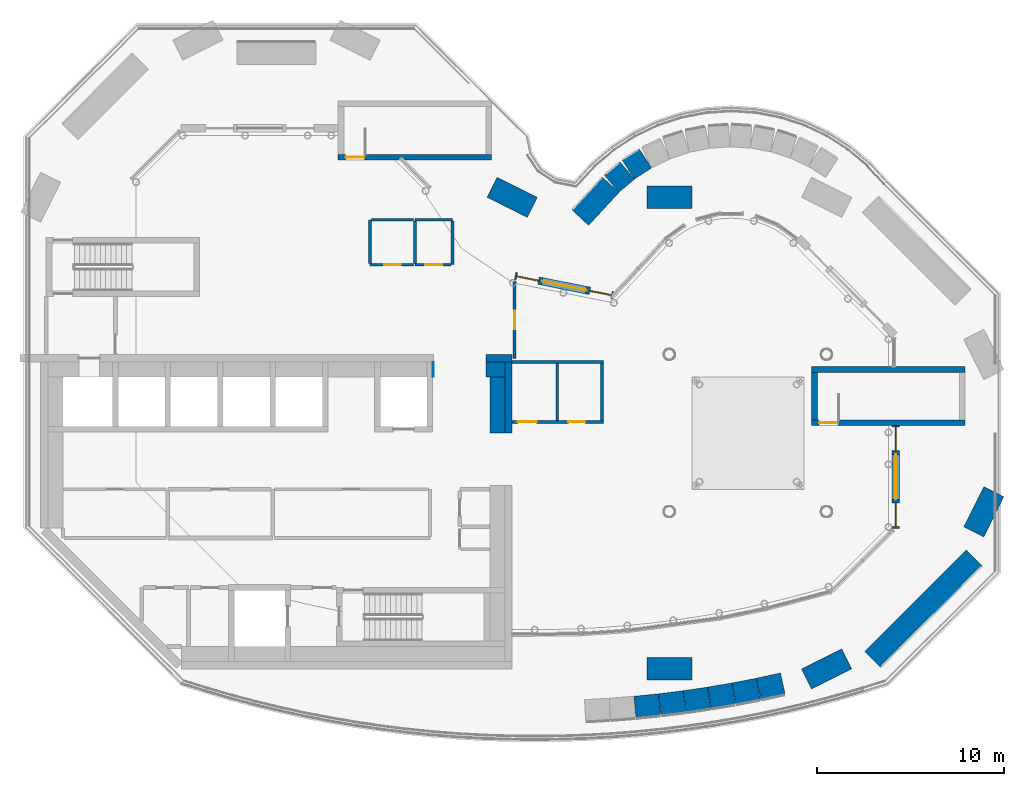
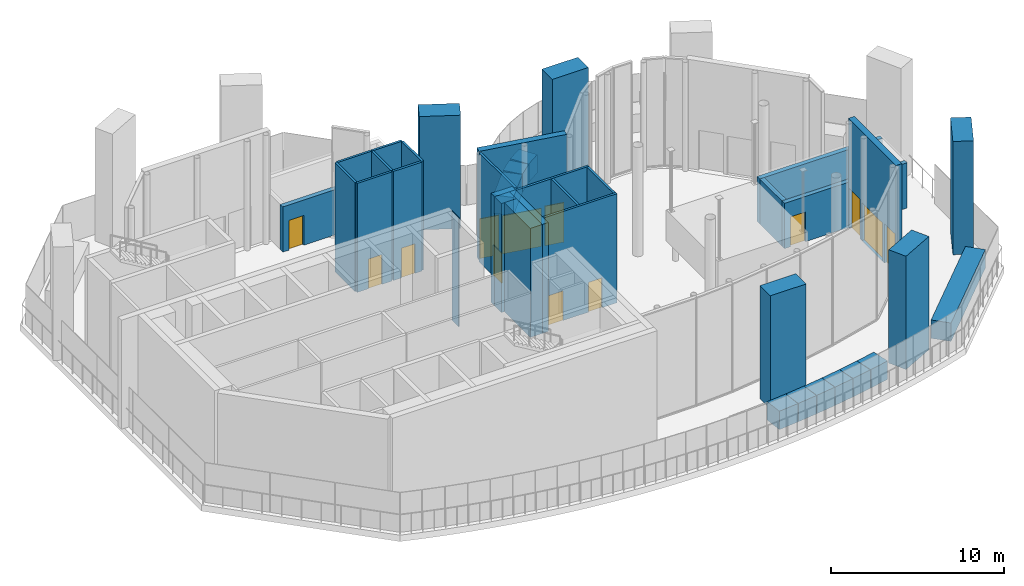
# One storey, part 9 of 14: 38 walls, 9 doors, 4 windows, 13 openings.
"""IFC4 building model written with IfcOpenShell, lengths in metres."""

from ifc_helpers import new_model, si_unit, direction, frame, frame_2d, origin, place, context, subcontext, project, spatial, rectangle, extrude, material, layer, layer_set, type_object, element, fill, save


model = new_model("IFC4")

# Units and contexts
model_context = context("Model", 3, precision=1e-05, world=origin(), true_north=direction((0.0, 1.0)))
body_context = subcontext(model_context, "Body", "Model", "MODEL_VIEW")
ifc_project = project(units=[si_unit("LENGTHUNIT", "METRE"), si_unit("AREAUNIT", "SQUARE_METRE"), si_unit("VOLUMEUNIT", "CUBIC_METRE"), si_unit("PLANEANGLEUNIT", "RADIAN"), si_unit("MASSUNIT", "GRAM", prefix="KILO")], contexts=[model_context])

# Site, building, storey
site_placement = place(None, origin())
site = spatial("IfcSite", under=ifc_project, at=site_placement, CompositionType="ELEMENT")
building_placement = place(site_placement, origin())
building = spatial("IfcBuilding", under=site, at=building_placement, Name="Brevane Broadcast Tower", CompositionType="ELEMENT")
storey_placement = place(building_placement, frame((0.0, 0.0, 256.199951171875)))
storey = spatial("IfcBuildingStorey", under=building, at=storey_placement, Name="L65", CompositionType="ELEMENT", Elevation=256.199951171875)

# Walls
ifc_material_1 = material(Name="Concrete C60/75", Category="concrete")
ifc_layer_1 = layer(ifc_material_1, 1.199951171875)
ifc_layer_set_1 = layer_set([ifc_layer_1], Name="CONCRETE CANOPY PIER WALL 1200 C60/75")
wall_type_1 = type_object("IfcWallType", Name="CONCRETE CANOPY PIER WALL 1200 C60/75", PredefinedType="SOLIDWALL", material=ifc_layer_set_1)
wall_1_placement = place(storey_placement, frame((26.273193359375, 24.663330078125, 0.0), z_axis=(0.0, 0.0, 1.0), x_axis=(-0.894427191, 0.4472135955, 0.0)))
element("IfcWall", 1, at=wall_1_placement, inside=storey, type_object=wall_type_1, Name="CP1 4", PredefinedType="SOLIDWALL", context=body_context, shape_type="SweptSolid", body=[
    extrude(rectangle(XDim=2.39990234375, YDim=1.199951171875, at=frame_2d((1.199951171875, 0.0))), origin(), (0.0, 0.0, 1.0), 8.0),
])
for number, where, z_axis, x_axis, name in (
    (2, (32.39990234375, 0.0, 0.0), (0.0, 0.0, 1.0), (1.0, 0.0, 0.0), "CP1 5"),
    (3, (34.800048828125, 25.199951171875, 0.0), (0.0, 0.0, 1.0), (-1.0, 0.0, 0.0), "CP1 6"),
):
    element("IfcWall", number, at=place(storey_placement, frame(where, z_axis=z_axis, x_axis=x_axis)), inside=storey, type_object=wall_type_1, Name=name, PredefinedType="SOLIDWALL", context=body_context, shape_type="SweptSolid", body=[
        extrude(rectangle(XDim=2.400146484375, YDim=1.199951171875, at=frame_2d((1.2001953125, 0.0))), origin(), (0.0, 0.0, 1.0), 8.0),
    ])
wall_2_placement = place(storey_placement, frame((40.9267578125, -0.53662109375, 0.0), z_axis=(0.0, 0.0, 1.0), x_axis=(0.894427191, 0.4472135955, 0.0)))
element("IfcWall", 4, at=wall_2_placement, inside=storey, type_object=wall_type_1, Name="CP1 7", PredefinedType="SOLIDWALL", context=body_context, shape_type="SweptSolid", body=[
    extrude(rectangle(XDim=2.39990234375, YDim=1.199951171875, at=frame_2d((1.199951171875, 0.0))), origin(), (0.0, 0.0, 1.0), 8.0),
])
wall_3_placement = place(storey_placement, frame((49.86328125, 7.32666015625, 0.0), z_axis=(0.0, 0.0, 1.0), x_axis=(0.447254282259, 0.894406846464, 0.0)))
element("IfcWall", 5, at=wall_3_placement, inside=storey, type_object=wall_type_1, Name="CP1 9", PredefinedType="SOLIDWALL", context=body_context, shape_type="SweptSolid", body=[
    extrude(rectangle(XDim=2.400146484375, YDim=1.199951171875, at=frame_2d((1.2001953125, 0.0))), origin(), (0.0, 0.0, 1.0), 8.0),
])
ifc_material_2 = material(Name="Concrete C32/40", Category="concrete")
ifc_layer_2 = layer(ifc_material_2, 0.800048828125)
ifc_layer_set_2 = layer_set([ifc_layer_2], Name="Core chase wall 800 mm")
wall_type_2 = type_object("IfcWallType", Name="Core chase wall 800 mm", PredefinedType="PARTITIONING", material=ifc_layer_set_2)
wall_4_placement = place(storey_placement, frame((24.39990234375, 12.60009765625, 0.0), z_axis=(0.0, 0.0, 1.0), x_axis=(0.0, 1.0, 0.0)))
element("IfcWall", 6, at=wall_4_placement, inside=storey, type_object=wall_type_2, Name="L65 chase wall LE2", PredefinedType="PARTITIONING", context=body_context, shape_type="SweptSolid", body=[
    extrude(rectangle(XDim=3.0, YDim=0.800048828125, at=frame_2d((1.5, 0.0))), origin(), (0.0, 0.0, 1.0), 7.699951171875),
])
wall_5_placement = place(storey_placement, frame((23.800048828125, 16.0, 0.0), z_axis=(0.0, 0.0, 1.0), x_axis=(1.0, 0.0, 0.0)))
element("IfcWall", 7, at=wall_5_placement, inside=storey, type_object=wall_type_2, Name="L65 chase wall LN2", PredefinedType="PARTITIONING", context=body_context, shape_type="SweptSolid", body=[
    extrude(rectangle(XDim=1.0, YDim=0.800048828125, at=frame_2d((0.5, 0.0))), origin(), (0.0, 0.0, 1.0), 7.699951171875),
])
wall_6_placement = place(storey_placement, frame((20.949951171875, 16.0, 0.0), z_axis=(0.0, 0.0, 1.0), x_axis=(1.0, 0.0, 0.0)))
element("IfcWall", 8, at=wall_6_placement, inside=storey, type_object=wall_type_2, Name="L65 chase wall LN1-2-2-2-2-2-2-2", PredefinedType="PARTITIONING", context=body_context, shape_type="SweptSolid", body=[
    extrude(rectangle(XDim=0.050048828125, YDim=0.800048828125, at=frame_2d((0.02490234375, 0.0))), origin(), (0.0, 0.0, 1.0), 7.699951171875),
])
ifc_material_3 = material(Name="Gypsum board on steel studs", Category="steel")
ifc_layer_3 = layer(ifc_material_3, 0.14990234375)
ifc_layer_set_3 = layer_set([ifc_layer_3], Name="Core fire partition 150 mm")
wall_type_3 = type_object("IfcWallType", Name="Core fire partition 150 mm", PredefinedType="PARTITIONING", material=ifc_layer_set_3)
wall_7_placement = place(storey_placement, frame((20.0, 24.0, 0.0), z_axis=(0.0, 0.0, 1.0), x_axis=(1.0, 0.0, 0.0)))
element("IfcWall", 9, at=wall_7_placement, inside=storey, type_object=wall_type_3, Name="L65 partition wall P22", PredefinedType="PARTITIONING", context=body_context, shape_type="SweptSolid", body=[
    extrude(rectangle(XDim=2.0, YDim=0.14990234375, at=frame_2d((1.0, 0.0))), origin(), (0.0, 0.0, 1.0), 7.699951171875),
])
wall_8_placement = place(storey_placement, frame((22.0, 23.925048828125, 0.0), z_axis=(0.0, 0.0, 1.0), x_axis=(0.0, -1.0, 0.0)))
element("IfcWall", 10, at=wall_8_placement, inside=storey, type_object=wall_type_3, Name="L65 partition wall P23", PredefinedType="PARTITIONING", context=body_context, shape_type="SweptSolid", body=[
    extrude(rectangle(XDim=2.324951171875, YDim=0.14990234375, at=frame_2d((1.16259765625, 0.0))), origin(), (0.0, 0.0, 1.0), 7.699951171875),
])

# Wall, opening, door
wall_9_placement = place(storey_placement, frame((21.925048828125, 21.60009765625, 0.0), z_axis=(0.0, 0.0, 1.0), x_axis=(-1.0, 0.0, 0.0)))
wall_9 = element("IfcWall", 11, at=wall_9_placement, inside=storey, type_object=wall_type_3, Name="L65 partition wall P24", PredefinedType="PARTITIONING", context=body_context, shape_type="SweptSolid", body=[
    extrude(rectangle(XDim=1.925048828125, YDim=0.14990234375, at=frame_2d((0.96240234375, 0.0))), origin(), (0.0, 0.0, 1.0), 7.699951171875),
])
opening_1_placement = place(wall_9_placement, frame((0.47509765625, 0.0, 0.0)))
opening_1 = element("IfcOpeningElement", 12, at=opening_1_placement, cuts=wall_9, Name="Opening L65-K19", PredefinedType="OPENING", context=body_context, shape_type="SweptSolid", body=[
    extrude(rectangle(XDim=0.89990234375, YDim=2.10009765625, at=frame_2d((0.449951171875, 1.050048828125))), frame((0.0, 0.0849609375, 0.0), z_axis=(0.0, -1.0, 0.0), x_axis=(1.0, 0.0, 0.0)), (0.0, 0.0, 1.0), 0.169921875),
])
ifc_material_4 = material(Name="Timber", Category="wood")
door_type_1 = type_object("IfcDoorType", Name="Toilet door 900 x 2100", OperationType="SINGLE_SWING_LEFT", PredefinedType="DOOR", material=ifc_material_4)
door_1_placement = place(opening_1_placement, origin())
door_1 = element("IfcDoor", 13, at=door_1_placement, inside=storey, type_object=door_type_1, Name="Door L65-K19", OperationType="SINGLE_SWING_RIGHT", OverallHeight=2.10009765625, OverallWidth=0.89990234375, PredefinedType="DOOR", context=body_context, shape_type="SweptSolid", body=[
    extrude(rectangle(XDim=0.89990234375, YDim=2.10009765625, at=frame_2d((0.449951171875, 1.050048828125))), frame((0.0, 0.02490234375, 0.0), z_axis=(0.0, -1.0, 0.0), x_axis=(1.0, 0.0, 0.0)), (0.0, 0.0, 1.0), 0.050048828125),
])
fill(opening_1, door_1)

# Wall
wall_10_placement = place(storey_placement, frame((20.0, 21.675048828125, 0.0), z_axis=(0.0, 0.0, 1.0), x_axis=(0.0, 1.0, 0.0)))
element("IfcWall", 14, at=wall_10_placement, inside=storey, type_object=wall_type_3, Name="L65 partition wall P25", PredefinedType="PARTITIONING", context=body_context, shape_type="SweptSolid", body=[
    extrude(rectangle(XDim=2.25, YDim=0.14990234375, at=frame_2d((1.125, 0.0))), origin(), (0.0, 0.0, 1.0), 7.699951171875),
])

# Wall, opening, door
wall_11_placement = place(storey_placement, frame((19.925048828125, 21.60009765625, 0.0), z_axis=(0.0, 0.0, 1.0), x_axis=(-1.0, 0.0, 0.0)))
wall_11 = element("IfcWall", 15, at=wall_11_placement, inside=storey, type_object=wall_type_3, Name="L65 partition wall P26", PredefinedType="PARTITIONING", context=body_context, shape_type="SweptSolid", body=[
    extrude(rectangle(XDim=2.324951171875, YDim=0.14990234375, at=frame_2d((1.16259765625, 0.0))), origin(), (0.0, 0.0, 1.0), 7.699951171875),
])
opening_2_placement = place(wall_11_placement, frame((0.675048828125, 0.0, 0.0)))
opening_2 = element("IfcOpeningElement", 16, at=opening_2_placement, cuts=wall_11, Name="Opening L65-K20", PredefinedType="OPENING", context=body_context, shape_type="SweptSolid", body=[
    extrude(rectangle(XDim=0.89990234375, YDim=2.10009765625, at=frame_2d((0.449951171875, 1.050048828125))), frame((0.0, 0.0849609375, 0.0), z_axis=(0.0, -1.0, 0.0), x_axis=(1.0, 0.0, 0.0)), (0.0, 0.0, 1.0), 0.169921875),
])
ifc_material_5 = material(Name="Steel", Category="steel")
door_type_2 = type_object("IfcDoorType", Name="Service room door 900 x 2100", OperationType="SINGLE_SWING_LEFT", PredefinedType="DOOR", material=ifc_material_5)
door_2_placement = place(opening_2_placement, origin())
door_2 = element("IfcDoor", 17, at=door_2_placement, inside=storey, type_object=door_type_2, Name="Door L65-K20", OperationType="SINGLE_SWING_LEFT", OverallHeight=2.10009765625, OverallWidth=0.89990234375, PredefinedType="DOOR", context=body_context, shape_type="SweptSolid", body=[
    extrude(rectangle(XDim=0.89990234375, YDim=2.10009765625, at=frame_2d((0.449951171875, 1.050048828125))), frame((0.0, 0.02490234375, 0.0), z_axis=(0.0, -1.0, 0.0), x_axis=(1.0, 0.0, 0.0)), (0.0, 0.0, 1.0), 0.050048828125),
])
fill(opening_2, door_2)

# Walls
wall_12_placement = place(storey_placement, frame((17.60009765625, 21.675048828125, 0.0), z_axis=(0.0, 0.0, 1.0), x_axis=(0.0, 1.0, 0.0)))
element("IfcWall", 18, at=wall_12_placement, inside=storey, type_object=wall_type_3, Name="L65 partition wall P27", PredefinedType="PARTITIONING", context=body_context, shape_type="SweptSolid", body=[
    extrude(rectangle(XDim=2.324951171875, YDim=0.14990234375, at=frame_2d((1.16259765625, 0.0))), origin(), (0.0, 0.0, 1.0), 7.699951171875),
])
wall_13_placement = place(storey_placement, frame((17.675048828125, 24.0, 0.0), z_axis=(0.0, 0.0, 1.0), x_axis=(1.0, 0.0, 0.0)))
element("IfcWall", 19, at=wall_13_placement, inside=storey, type_object=wall_type_3, Name="L65 partition wall P28", PredefinedType="PARTITIONING", context=body_context, shape_type="SweptSolid", body=[
    extrude(rectangle(XDim=2.25, YDim=0.14990234375, at=frame_2d((1.125, 0.0))), origin(), (0.0, 0.0, 1.0), 7.699951171875),
])

# Wall, opening, door
ifc_material_6 = material(Name="Concrete C50/60", Category="concrete")
ifc_layer_4 = layer(ifc_material_6, 0.300048828125)
ifc_layer_set_4 = layer_set([ifc_layer_4], Name="Core wall 300 mm C50/60")
wall_type_4 = type_object("IfcWallType", Name="Core wall 300 mm C50/60", PredefinedType="SHEAR", material=ifc_layer_set_4)
wall_14_placement = place(storey_placement, frame((24.10009765625, 27.35009765625, 0.0), z_axis=(0.0, 0.0, 1.0), x_axis=(-1.0, 0.0, 0.0)))
wall_14 = element("IfcWall", 20, at=wall_14_placement, inside=storey, type_object=wall_type_4, Name="L65 stair wall ST-3-S", PredefinedType="SHEAR", context=body_context, shape_type="SweptSolid", body=[
    extrude(rectangle(XDim=8.2001953125, YDim=0.300048828125, at=frame_2d((4.10009765625, 0.0))), origin(), (0.0, 0.0, 1.0), 3.199951171875),
])
opening_3_placement = place(wall_14_placement, frame((6.800048828125, 0.0, 0.0)))
opening_3 = element("IfcOpeningElement", 21, at=opening_3_placement, cuts=wall_14, Name="Opening L65-K08", PredefinedType="OPENING", context=body_context, shape_type="SweptSolid", body=[
    extrude(rectangle(XDim=1.0, YDim=2.10009765625, at=frame_2d((0.5, 1.050048828125))), frame((0.0, 0.159912109375, 0.0), z_axis=(0.0, -1.0, 0.0), x_axis=(1.0, 0.0, 0.0)), (0.0, 0.0, 1.0), 0.320068359375),
])
door_type_3 = type_object("IfcDoorType", Name="Stair door 1000 x 2100", OperationType="SINGLE_SWING_LEFT", PredefinedType="DOOR", material=ifc_material_5)
door_3_placement = place(opening_3_placement, origin())
door_3 = element("IfcDoor", 22, at=door_3_placement, inside=storey, type_object=door_type_3, Name="Door L65-K08", OperationType="SINGLE_SWING_LEFT", OverallHeight=2.10009765625, OverallWidth=1.0, PredefinedType="DOOR", context=body_context, shape_type="SweptSolid", body=[
    extrude(rectangle(XDim=1.0, YDim=2.10009765625, at=frame_2d((0.5, 1.050048828125))), frame((0.0, 0.02490234375, 0.0), z_axis=(0.0, -1.0, 0.0), x_axis=(1.0, 0.0, 0.0)), (0.0, 0.0, 1.0), 0.050048828125),
])
fill(opening_3, door_3)

wall_15_placement = place(storey_placement, frame((49.39990234375, 13.14990234375, 0.0), z_axis=(0.0, 0.0, 1.0), x_axis=(-1.0, 0.0, 0.0)))
wall_15 = element("IfcWall", 23, at=wall_15_placement, inside=storey, type_object=wall_type_4, Name="L65 stair wall ST-4-S", PredefinedType="SHEAR", context=body_context, shape_type="SweptSolid", body=[
    extrude(rectangle(XDim=8.199951171875, YDim=0.300048828125, at=frame_2d((4.10009765625, 0.0))), origin(), (0.0, 0.0, 1.0), 3.199951171875),
])
opening_4_placement = place(wall_15_placement, frame((6.800048828125, 0.0, 0.0)))
opening_4 = element("IfcOpeningElement", 24, at=opening_4_placement, cuts=wall_15, Name="Opening L65-K09", PredefinedType="OPENING", context=body_context, shape_type="SweptSolid", body=[
    extrude(rectangle(XDim=1.0, YDim=2.10009765625, at=frame_2d((0.5, 1.050048828125))), frame((0.0, 0.159912109375, 0.0), z_axis=(0.0, -1.0, 0.0), x_axis=(1.0, 0.0, 0.0)), (0.0, 0.0, 1.0), 0.320068359375),
])
door_4_placement = place(opening_4_placement, origin())
door_4 = element("IfcDoor", 25, at=door_4_placement, inside=storey, type_object=door_type_3, Name="Door L65-K09", OperationType="SINGLE_SWING_RIGHT", OverallHeight=2.10009765625, OverallWidth=1.0, PredefinedType="DOOR", context=body_context, shape_type="SweptSolid", body=[
    extrude(rectangle(XDim=1.0, YDim=2.10009765625, at=frame_2d((0.5, 1.050048828125))), frame((0.0, 0.02490234375, 0.0), z_axis=(0.0, -1.0, 0.0), x_axis=(1.0, 0.0, 0.0)), (0.0, 0.0, 1.0), 0.050048828125),
])
fill(opening_4, door_4)

# Walls
wall_16_placement = place(storey_placement, frame((41.199951171875, 16.0, 0.0), z_axis=(0.0, 0.0, 1.0), x_axis=(1.0, 0.0, 0.0)))
element("IfcWall", 26, at=wall_16_placement, inside=storey, type_object=wall_type_4, Name="L65 stair wall ST-4-N", PredefinedType="SHEAR", context=body_context, shape_type="SweptSolid", body=[
    extrude(rectangle(XDim=8.199951171875, YDim=0.300048828125, at=frame_2d((4.10009765625, 0.0))), origin(), (0.0, 0.0, 1.0), 3.199951171875),
])
wall_17_placement = place(storey_placement, frame((41.35009765625, 13.300048828125, 0.0), z_axis=(0.0, 0.0, 1.0), x_axis=(0.0, 1.0, 0.0)))
element("IfcWall", 27, at=wall_17_placement, inside=storey, type_object=wall_type_4, Name="L65 stair wall ST-4-W", PredefinedType="SHEAR", context=body_context, shape_type="SweptSolid", body=[
    extrude(rectangle(XDim=2.550048828125, YDim=0.300048828125, at=frame_2d((1.27490234375, 0.0))), origin(), (0.0, 0.0, 1.0), 3.199951171875),
])
ifc_layer_5 = layer(ifc_material_6, 0.39990234375)
ifc_layer_set_5 = layer_set([ifc_layer_5], Name="Core wall 400 mm C50/60")
wall_type_5 = type_object("IfcWallType", Name="Core wall 400 mm C50/60", PredefinedType="SHEAR", material=ifc_layer_set_5)
wall_18_placement = place(storey_placement, frame((23.800048828125, 16.60009765625, 0.0), z_axis=(0.0, 0.0, 1.0), x_axis=(1.0, 0.0, 0.0)))
element("IfcWall", 28, at=wall_18_placement, inside=storey, type_object=wall_type_5, Name="L65 outer wall WN2", PredefinedType="SHEAR", context=body_context, shape_type="SweptSolid", body=[
    extrude(rectangle(XDim=1.39990234375, YDim=0.39990234375, at=frame_2d((0.699951171875, 0.0))), origin(), (0.0, 0.0, 1.0), 7.699951171875),
])
wall_19_placement = place(storey_placement, frame((25.0, 12.60009765625, 0.0), z_axis=(0.0, 0.0, 1.0), x_axis=(0.0, 1.0, 0.0)))
element("IfcWall", 29, at=wall_19_placement, inside=storey, type_object=wall_type_5, Name="L65 outer wall WE2", PredefinedType="SHEAR", context=body_context, shape_type="SweptSolid", body=[
    extrude(rectangle(XDim=3.7998046875, YDim=0.39990234375, at=frame_2d((1.89990234375, 0.0))), origin(), (0.0, 0.0, 1.0), 7.699951171875),
])

# Wall, openings, doors
ifc_material_7 = material(Name="Gypsum board partition")
ifc_layer_6 = layer(ifc_material_7, 0.14990234375)
ifc_layer_set_6 = layer_set([ifc_layer_6], Name="Crown partition 150")
wall_type_6 = type_object("IfcWallType", Name="Crown partition 150", PredefinedType="PARTITIONING", material=ifc_layer_set_6)
wall_20_placement = place(storey_placement, frame((25.199951171875, 13.199951171875, 0.0), z_axis=(0.0, 0.0, 1.0), x_axis=(1.0, 0.0, 0.0)))
wall_20 = element("IfcWall", 30, at=wall_20_placement, inside=storey, type_object=wall_type_6, Name="Partition s", PredefinedType="PARTITIONING", context=body_context, shape_type="SweptSolid", body=[
    extrude(rectangle(XDim=4.875, YDim=0.14990234375, at=frame_2d((2.4375, 0.0))), origin(), (0.0, 0.0, 1.0), 7.699951171875),
])
opening_5_placement = place(wall_20_placement, frame((0.300048828125, 0.0, 0.0)))
opening_5 = element("IfcOpeningElement", 31, at=opening_5_placement, cuts=wall_20, Name="Opening CR02", PredefinedType="OPENING", context=body_context, shape_type="SweptSolid", body=[
    extrude(rectangle(XDim=1.0, YDim=2.10009765625, at=frame_2d((0.5, 1.050048828125))), frame((0.0, 0.0849609375, 0.0), z_axis=(0.0, -1.0, 0.0), x_axis=(1.0, 0.0, 0.0)), (0.0, 0.0, 1.0), 0.169921875),
])
opening_6_placement = place(wall_20_placement, frame((3.0, 0.0, 0.0)))
opening_6 = element("IfcOpeningElement", 32, at=opening_6_placement, cuts=wall_20, Name="Opening CR03", PredefinedType="OPENING", context=body_context, shape_type="SweptSolid", body=[
    extrude(rectangle(XDim=0.89990234375, YDim=2.10009765625, at=frame_2d((0.449951171875, 1.050048828125))), frame((0.0, 0.0849609375, 0.0), z_axis=(0.0, -1.0, 0.0), x_axis=(1.0, 0.0, 0.0)), (0.0, 0.0, 1.0), 0.169921875),
])
ifc_material_8 = material(Name="Timber door leaf", Category="wood")
door_type_4 = type_object("IfcDoorType", Name="Accessible WC door 1000 x 2100", OperationType="SINGLE_SWING_LEFT", PredefinedType="DOOR", material=ifc_material_8)
door_5_placement = place(opening_5_placement, origin())
door_5 = element("IfcDoor", 33, at=door_5_placement, inside=storey, type_object=door_type_4, Name="Door", OperationType="SINGLE_SWING_RIGHT", OverallHeight=2.10009765625, OverallWidth=1.0, PredefinedType="DOOR", context=body_context, shape_type="SweptSolid", body=[
    extrude(rectangle(XDim=1.0, YDim=2.10009765625, at=frame_2d((0.5, 1.050048828125))), frame((0.0, 0.02490234375, 0.0), z_axis=(0.0, -1.0, 0.0), x_axis=(1.0, 0.0, 0.0)), (0.0, 0.0, 1.0), 0.050048828125),
])
fill(opening_5, door_5)
ifc_material_9 = material(Name="Fire-rated timber door leaf", Category="wood")
door_type_5 = type_object("IfcDoorType", Name="Deck store door 900 x 2100", OperationType="SINGLE_SWING_LEFT", PredefinedType="DOOR", material=ifc_material_9)
door_6_placement = place(opening_6_placement, origin())
door_6 = element("IfcDoor", 34, at=door_6_placement, inside=storey, type_object=door_type_5, Name="Door", OperationType="SINGLE_SWING_LEFT", OverallHeight=2.10009765625, OverallWidth=0.89990234375, PredefinedType="DOOR", context=body_context, shape_type="SweptSolid", body=[
    extrude(rectangle(XDim=0.89990234375, YDim=2.10009765625, at=frame_2d((0.449951171875, 1.050048828125))), frame((0.0, 0.02490234375, 0.0), z_axis=(0.0, -1.0, 0.0), x_axis=(1.0, 0.0, 0.0)), (0.0, 0.0, 1.0), 0.050048828125),
])
fill(opening_6, door_6)

# Walls
wall_21_placement = place(storey_placement, frame((25.199951171875, 16.39990234375, 0.0), z_axis=(0.0, 0.0, 1.0), x_axis=(1.0, 0.0, 0.0)))
element("IfcWall", 35, at=wall_21_placement, inside=storey, type_object=wall_type_6, Name="Partition n", PredefinedType="PARTITIONING", context=body_context, shape_type="SweptSolid", body=[
    extrude(rectangle(XDim=4.875, YDim=0.14990234375, at=frame_2d((2.4375, 0.0))), origin(), (0.0, 0.0, 1.0), 7.699951171875),
])
for number, where, z_axis, x_axis, name in (
    (36, (30.0, 13.27490234375, 0.0), (0.0, 0.0, 1.0), (0.0, 1.0, 0.0), "Partition e"),
    (37, (27.60009765625, 13.27490234375, 0.0), (0.0, 0.0, 1.0), (0.0, 1.0, 0.0), "Partition m"),
):
    element("IfcWall", number, at=place(storey_placement, frame(where, z_axis=z_axis, x_axis=x_axis)), inside=storey, type_object=wall_type_6, Name=name, PredefinedType="PARTITIONING", context=body_context, shape_type="SweptSolid", body=[
        extrude(rectangle(XDim=3.050048828125, YDim=0.14990234375, at=frame_2d((1.52490234375, 0.0))), origin(), (0.0, 0.0, 1.0), 7.699951171875),
    ])

# Wall, opening, door
wall_22_placement = place(storey_placement, frame((25.324951171875, 16.60009765625, 0.0), z_axis=(0.0, 0.0, 1.0), x_axis=(0.0, 1.0, 0.0)))
wall_22 = element("IfcWall", 38, at=wall_22_placement, inside=storey, type_object=wall_type_6, Name="Partition between hall and gallery", PredefinedType="PARTITIONING", context=body_context, shape_type="SweptSolid", body=[
    extrude(rectangle(XDim=4.099609375, YDim=0.14990234375, at=frame_2d((2.0498046875, 0.0))), origin(), (0.0, 0.0, 1.0), 7.699951171875),
])
opening_7_placement = place(wall_22_placement, frame((1.5498046875, 0.0, 0.0)))
opening_7 = element("IfcOpeningElement", 39, at=opening_7_placement, cuts=wall_22, Name="Opening CR08", PredefinedType="OPENING", context=body_context, shape_type="SweptSolid", body=[
    extrude(rectangle(XDim=1.0, YDim=2.10009765625, at=frame_2d((0.5, 1.050048828125))), frame((0.0, 0.0849609375, 0.0), z_axis=(0.0, -1.0, 0.0), x_axis=(1.0, 0.0, 0.0)), (0.0, 0.0, 1.0), 0.169921875),
])
door_type_6 = type_object("IfcDoorType", Name="Plant room door 1000 x 2100", OperationType="SINGLE_SWING_LEFT", PredefinedType="DOOR", material=ifc_material_5)
door_7_placement = place(opening_7_placement, origin())
door_7 = element("IfcDoor", 40, at=door_7_placement, inside=storey, type_object=door_type_6, Name="Door", OperationType="SINGLE_SWING_LEFT", OverallHeight=2.10009765625, OverallWidth=1.0, PredefinedType="DOOR", context=body_context, shape_type="SweptSolid", body=[
    extrude(rectangle(XDim=1.0, YDim=2.10009765625, at=frame_2d((0.5, 1.050048828125))), frame((0.0, 0.02490234375, 0.0), z_axis=(0.0, -1.0, 0.0), x_axis=(1.0, 0.0, 0.0)), (0.0, 0.0, 1.0), 0.050048828125),
])
fill(opening_7, door_7)

# Wall, openings, door, windows
ifc_material_10 = material(Name="Concrete C40/50", Category="concrete")
ifc_layer_7 = layer(ifc_material_10, 0.39990234375)
ifc_layer_set_7 = layer_set([ifc_layer_7], Name="Hall portal wall 400")
wall_type_7 = type_object("IfcWallType", Name="Hall portal wall 400", PredefinedType="SOLIDWALL", material=ifc_layer_set_7)
wall_23_placement = place(storey_placement, frame((45.679931640625, 13.02001953125, 0.0), z_axis=(0.0, 0.0, 1.0), x_axis=(0.0, -1.0, 0.0)))
wall_23 = element("IfcWall", 41, at=wall_23_placement, inside=storey, type_object=wall_type_7, Name="Portal wall deck door", PredefinedType="SOLIDWALL", context=body_context, shape_type="SweptSolid", body=[
    extrude(rectangle(XDim=5.50927734375, YDim=0.39990234375, at=frame_2d((2.754638671875, 0.0))), origin(), (0.0, 0.0, 1.0), 7.699951171875),
])
opening_8_placement = place(wall_23_placement, frame((1.5546875, 0.0, 0.0)))
opening_8 = element("IfcOpeningElement", 42, at=opening_8_placement, cuts=wall_23, Name="Opening EX19", PredefinedType="OPENING", context=body_context, shape_type="SweptSolid", body=[
    extrude(rectangle(XDim=2.39990234375, YDim=2.699951171875, at=frame_2d((1.199951171875, 1.35009765625))), frame((0.0, 0.2099609375, 0.0), z_axis=(0.0, -1.0, 0.0), x_axis=(1.0, 0.0, 0.0)), (0.0, 0.0, 1.0), 0.419921875),
])
opening_9_placement = place(wall_23_placement, frame((0.10009765625, 0.0, 0.0)))
opening_9 = element("IfcOpeningElement", 43, at=opening_9_placement, cuts=wall_23, Name="Opening FW05", PredefinedType="OPENING", context=body_context, shape_type="SweptSolid", body=[
    extrude(rectangle(XDim=1.254638671875, YDim=2.800048828125, at=frame_2d((0.62744140625, 1.39990234375))), frame((0.0, 0.2099609375, 0.0), z_axis=(0.0, -1.0, 0.0), x_axis=(1.0, 0.0, 0.0)), (0.0, 0.0, 1.0), 0.419921875),
])
opening_10_placement = place(wall_23_placement, frame((4.154541015625, 0.0, 0.0)))
opening_10 = element("IfcOpeningElement", 44, at=opening_10_placement, cuts=wall_23, Name="Opening FW06", PredefinedType="OPENING", context=body_context, shape_type="SweptSolid", body=[
    extrude(rectangle(XDim=1.254638671875, YDim=2.800048828125, at=frame_2d((0.62744140625, 1.39990234375))), frame((0.0, 0.2099609375, 0.0), z_axis=(0.0, -1.0, 0.0), x_axis=(1.0, 0.0, 0.0)), (0.0, 0.0, 1.0), 0.419921875),
])
ifc_material_11 = material(Name="Aluminium bronze anodised and laminated glass", Category="aluminium")
door_type_7 = type_object("IfcDoorType", Name="Hall deck door 2400x2700", OperationType="DOUBLE_DOOR_DOUBLE_SWING", PredefinedType="DOOR", material=ifc_material_11)
door_8_placement = place(opening_8_placement, origin())
door_8 = element("IfcDoor", 45, at=door_8_placement, inside=storey, type_object=door_type_7, Name="Deck door", OperationType="DOUBLE_DOOR_DOUBLE_SWING", OverallHeight=2.699951171875, OverallWidth=2.39990234375, PredefinedType="DOOR", context=body_context, shape_type="SweptSolid", body=[
    extrude(rectangle(XDim=2.39990234375, YDim=2.699951171875, at=frame_2d((1.199951171875, 1.35009765625))), frame((0.0, 0.02490234375, 0.0), z_axis=(0.0, -1.0, 0.0), x_axis=(1.0, 0.0, 0.0)), (0.0, 0.0, 1.0), 0.050048828125),
])
fill(opening_8, door_8)
ifc_material_12 = material(Name="Laminated glass bronze-tinted", Category="glass")
window_type_1 = type_object("IfcWindowType", Name="Hall sidelight 1255x2800", PartitioningType="SINGLE_PANEL", PredefinedType="WINDOW", material=ifc_material_12)
window_1_placement = place(opening_9_placement, origin())
window_1 = element("IfcWindow", 46, at=window_1_placement, inside=storey, type_object=window_type_1, Name="Hall viewing window", OverallHeight=2.800048828125, OverallWidth=1.254638671875, PartitioningType="SINGLE_PANEL", PredefinedType="WINDOW", context=body_context, shape_type="SweptSolid", body=[
    extrude(rectangle(XDim=1.254638671875, YDim=2.800048828125, at=frame_2d((0.62744140625, 1.39990234375))), frame((0.0, 0.030029296875, 0.0), z_axis=(0.0, -1.0, 0.0), x_axis=(1.0, 0.0, 0.0)), (0.0, 0.0, 1.0), 0.06005859375),
])
fill(opening_9, window_1)
window_2_placement = place(opening_10_placement, origin())
window_2 = element("IfcWindow", 47, at=window_2_placement, inside=storey, type_object=window_type_1, Name="Hall viewing window", OverallHeight=2.800048828125, OverallWidth=1.254638671875, PartitioningType="SINGLE_PANEL", PredefinedType="WINDOW", context=body_context, shape_type="SweptSolid", body=[
    extrude(rectangle(XDim=1.254638671875, YDim=2.800048828125, at=frame_2d((0.62744140625, 1.39990234375))), frame((0.0, 0.030029296875, 0.0), z_axis=(0.0, -1.0, 0.0), x_axis=(1.0, 0.0, 0.0)), (0.0, 0.0, 1.0), 0.06005859375),
])
fill(opening_10, window_2)

wall_24_placement = place(storey_placement, frame((25.349609375, 20.99658203125, 0.0), z_axis=(0.0, 0.0, 1.0), x_axis=(0.980785257804, -0.195090435628, 0.0)))
wall_24 = element("IfcWall", 48, at=wall_24_placement, inside=storey, type_object=wall_type_7, Name="Portal wall deck door", PredefinedType="SOLIDWALL", context=body_context, shape_type="SweptSolid", body=[
    extrude(rectangle(XDim=5.356201171875, YDim=0.39990234375, at=frame_2d((2.67822265625, 0.0))), origin(), (0.0, 0.0, 1.0), 7.699951171875),
])
opening_11_placement = place(wall_24_placement, frame((1.47802734375, 0.0, 0.0)))
opening_11 = element("IfcOpeningElement", 49, at=opening_11_placement, cuts=wall_24, Name="Opening EX21", PredefinedType="OPENING", context=body_context, shape_type="SweptSolid", body=[
    extrude(rectangle(XDim=2.39990234375, YDim=2.699951171875, at=frame_2d((1.199951171875, 1.35009765625))), frame((0.0, 0.2099609375, 0.0), z_axis=(0.0, -1.0, 0.0), x_axis=(1.0, 0.0, 0.0)), (0.0, 0.0, 1.0), 0.419921875),
])
opening_12_placement = place(wall_24_placement, frame((0.10009765625, 0.0, 0.0)))
opening_12 = element("IfcOpeningElement", 50, at=opening_12_placement, cuts=wall_24, Name="Opening FW09", PredefinedType="OPENING", context=body_context, shape_type="SweptSolid", body=[
    extrude(rectangle(XDim=1.177978515625, YDim=2.800048828125, at=frame_2d((0.5888671875, 1.39990234375))), frame((0.0, 0.2099609375, 0.0), z_axis=(0.0, -1.0, 0.0), x_axis=(1.0, 0.0, 0.0)), (0.0, 0.0, 1.0), 0.419921875),
])
opening_13_placement = place(wall_24_placement, frame((4.078125, 0.0, 0.0)))
opening_13 = element("IfcOpeningElement", 51, at=opening_13_placement, cuts=wall_24, Name="Opening FW10", PredefinedType="OPENING", context=body_context, shape_type="SweptSolid", body=[
    extrude(rectangle(XDim=1.177978515625, YDim=2.800048828125, at=frame_2d((0.5888671875, 1.39990234375))), frame((0.0, 0.2099609375, 0.0), z_axis=(0.0, -1.0, 0.0), x_axis=(1.0, 0.0, 0.0)), (0.0, 0.0, 1.0), 0.419921875),
])
door_9_placement = place(opening_11_placement, origin())
door_9 = element("IfcDoor", 52, at=door_9_placement, inside=storey, type_object=door_type_7, Name="Deck door", OperationType="DOUBLE_DOOR_DOUBLE_SWING", OverallHeight=2.699951171875, OverallWidth=2.39990234375, PredefinedType="DOOR", context=body_context, shape_type="SweptSolid", body=[
    extrude(rectangle(XDim=2.39990234375, YDim=2.699951171875, at=frame_2d((1.199951171875, 1.35009765625))), frame((0.0, 0.02490234375, 0.0), z_axis=(0.0, -1.0, 0.0), x_axis=(1.0, 0.0, 0.0)), (0.0, 0.0, 1.0), 0.050048828125),
])
fill(opening_11, door_9)
window_type_2 = type_object("IfcWindowType", Name="Hall sidelight 1178x2800", PartitioningType="SINGLE_PANEL", PredefinedType="WINDOW", material=ifc_material_12)
window_3_placement = place(opening_12_placement, origin())
window_3 = element("IfcWindow", 53, at=window_3_placement, inside=storey, type_object=window_type_2, Name="Hall viewing window", OverallHeight=2.800048828125, OverallWidth=1.177978515625, PartitioningType="SINGLE_PANEL", PredefinedType="WINDOW", context=body_context, shape_type="SweptSolid", body=[
    extrude(rectangle(XDim=1.177978515625, YDim=2.800048828125, at=frame_2d((0.5888671875, 1.39990234375))), frame((0.0, 0.030029296875, 0.0), z_axis=(0.0, -1.0, 0.0), x_axis=(1.0, 0.0, 0.0)), (0.0, 0.0, 1.0), 0.06005859375),
])
fill(opening_12, window_3)
window_4_placement = place(opening_13_placement, origin())
window_4 = element("IfcWindow", 54, at=window_4_placement, inside=storey, type_object=window_type_2, Name="Hall viewing window", OverallHeight=2.800048828125, OverallWidth=1.177978515625, PartitioningType="SINGLE_PANEL", PredefinedType="WINDOW", context=body_context, shape_type="SweptSolid", body=[
    extrude(rectangle(XDim=1.177978515625, YDim=2.800048828125, at=frame_2d((0.5888671875, 1.39990234375))), frame((0.0, 0.030029296875, 0.0), z_axis=(0.0, -1.0, 0.0), x_axis=(1.0, 0.0, 0.0)), (0.0, 0.0, 1.0), 0.06005859375),
])
fill(opening_13, window_4)

# Walls
ifc_material_13 = material(Name="Concrete C30/37", Category="concrete")
ifc_layer_8 = layer(ifc_material_13, 1.199951171875)
ifc_layer_set_8 = layer_set([ifc_layer_8], Name="Planter wall 1200")
wall_type_8 = type_object("IfcWallType", Name="Planter wall 1200", PredefinedType="PARAPET", material=ifc_layer_set_8)
for number, where, z_axis, x_axis, name in (
    (55, (31.75927734375, -2.0576171875, 0.0), (0.0, 0.0, 1.0), (0.994873243979, 0.101129760286, 0.0), "Planting bed L65-3"),
    (56, (33.0888671875, -1.922119140625, 0.0), (0.0, 0.0, 1.0), (0.992351509251, 0.123444246874, 0.0), "Planting bed L65-4"),
    (57, (34.415283203125, -1.756591796875, 0.0), (0.0, 0.0, 1.0), (0.989342721652, 0.145605560042, 0.0), "Planting bed L65-5"),
):
    element("IfcWall", number, at=place(storey_placement, frame(where, z_axis=z_axis, x_axis=x_axis)), inside=storey, type_object=wall_type_8, Name=name, PredefinedType="PARAPET", context=body_context, shape_type="SweptSolid", body=[
        extrude(rectangle(XDim=1.322998046875, YDim=1.199951171875, at=frame_2d((0.66162109375, 0.0))), origin(), (0.0, 0.0, 1.0), 1.300048828125),
    ])
for number, where, z_axis, x_axis, name in (
    (58, (35.7373046875, -1.5615234375, 0.0), (0.0, 0.0, 1.0), (0.985834803842, 0.167719228279, 0.0), "Planting bed L65-6"),
    (59, (37.054931640625, -1.3369140625, 0.0), (0.0, 0.0, 1.0), (0.981775408768, 0.190044854544, 0.0), "Planting bed L65-7"),
):
    element("IfcWall", number, at=place(storey_placement, frame(where, z_axis=z_axis, x_axis=x_axis)), inside=storey, type_object=wall_type_8, Name=name, PredefinedType="PARAPET", context=body_context, shape_type="SweptSolid", body=[
        extrude(rectangle(XDim=1.3232421875, YDim=1.199951171875, at=frame_2d((0.66162109375, 0.0))), origin(), (0.0, 0.0, 1.0), 1.300048828125),
    ])
wall_25_placement = place(storey_placement, frame((38.366943359375, -1.08251953125, 0.0), z_axis=(0.0, 0.0, 1.0), x_axis=(0.977264546956, 0.212023596007, 0.0)))
element("IfcWall", 60, at=wall_25_placement, inside=storey, type_object=wall_type_8, Name="Planting bed L65-8", PredefinedType="PARAPET", context=body_context, shape_type="SweptSolid", body=[
    extrude(rectangle(XDim=1.322998046875, YDim=1.199951171875, at=frame_2d((0.66162109375, 0.0))), origin(), (0.0, 0.0, 1.0), 1.300048828125),
])
wall_26_placement = place(storey_placement, frame((44.446533203125, 0.50927734375, 0.0), z_axis=(0.0, 0.0, 1.0), x_axis=(0.707106781187, 0.707106781187, 0.0)))
element("IfcWall", 61, at=wall_26_placement, inside=storey, type_object=wall_type_8, Name="Planting bed L65-9", PredefinedType="PARAPET", context=body_context, shape_type="SweptSolid", body=[
    extrude(rectangle(XDim=7.677978515625, YDim=1.199951171875, at=frame_2d((3.8388671875, 0.0))), origin(), (0.0, 0.0, 1.0), 1.300048828125),
])
wall_27_placement = place(storey_placement, frame((32.32177734375, 27.271728515625, 0.0), z_axis=(0.0, 0.0, 1.0), x_axis=(-0.841171223915, -0.540768871198, 0.0)))
element("IfcWall", 62, at=wall_27_placement, inside=storey, type_object=wall_type_8, Name="Planting bed L65-20", PredefinedType="PARAPET", context=body_context, shape_type="SweptSolid", body=[
    extrude(rectangle(XDim=1.093994140625, YDim=1.199951171875, at=frame_2d((0.546875, 0.0))), origin(), (0.0, 0.0, 1.0), 1.300048828125),
])
wall_28_placement = place(storey_placement, frame((31.346435546875, 26.627685546875, 0.0), z_axis=(0.0, 0.0, 1.0), x_axis=(-0.765819177627, -0.643055975151, 0.0)))
element("IfcWall", 63, at=wall_28_placement, inside=storey, type_object=wall_type_8, Name="Planting bed L65-21", PredefinedType="PARAPET", context=body_context, shape_type="SweptSolid", body=[
    extrude(rectangle(XDim=1.09375, YDim=1.199951171875, at=frame_2d((0.546875, 0.0))), origin(), (0.0, 0.0, 1.0), 1.300048828125),
])
wall_29_placement = place(storey_placement, frame((30.460693359375, 25.865234375, 0.0), z_axis=(0.0, 0.0, 1.0), x_axis=(-0.678250409209, -0.734830852923, 0.0)))
element("IfcWall", 64, at=wall_29_placement, inside=storey, type_object=wall_type_8, Name="Planting bed L65-22", PredefinedType="PARAPET", context=body_context, shape_type="SweptSolid", body=[
    extrude(rectangle(XDim=2.390380859375, YDim=1.199951171875, at=frame_2d((1.1953125, 0.0))), origin(), (0.0, 0.0, 1.0), 1.300048828125),
])

save(model, "model.ifc")
